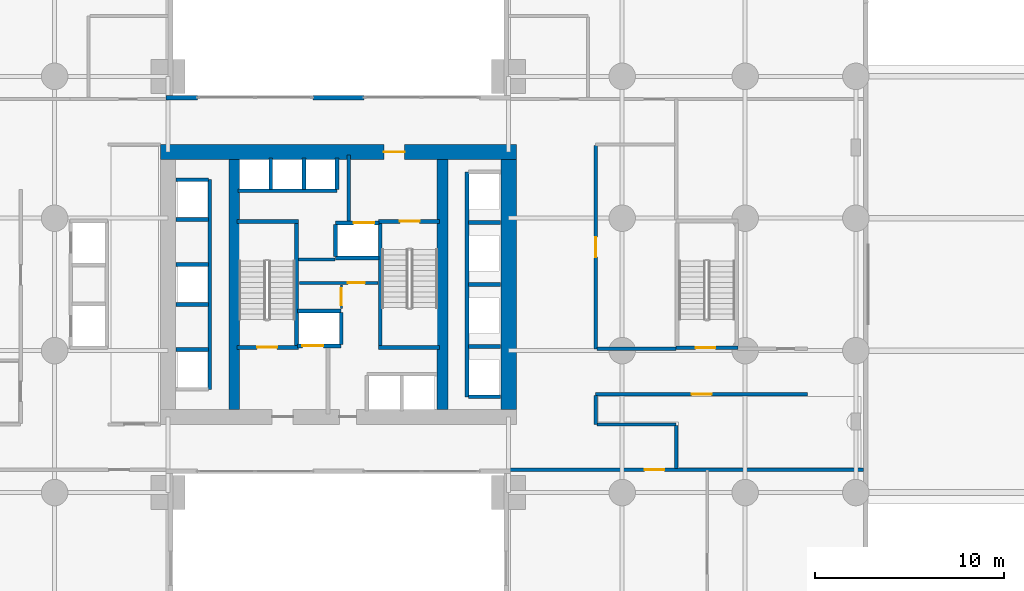
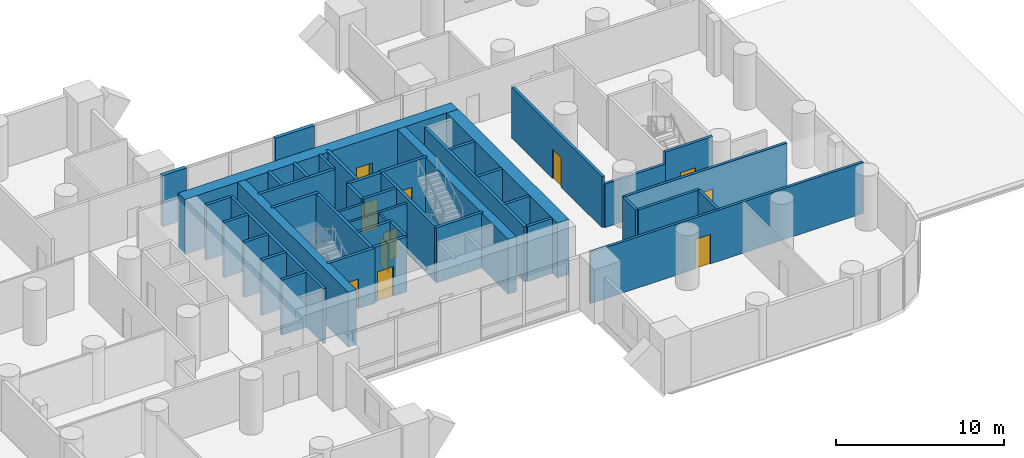
# One storey, part 5 of 8: 45 walls, 11 doors, 11 openings.
"""IFC4 building model written with IfcOpenShell, lengths in metres."""

from ifc_helpers import new_model, si_unit, direction, frame, frame_2d, origin, place, context, subcontext, project, spatial, rectangle, extrude, material, layer, layer_set, type_object, element, fill, save


model = new_model("IFC4")

# Units and contexts
model_context = context("Model", 3, precision=1e-05, world=origin(), true_north=direction((0.0, 1.0)))
body_context = subcontext(model_context, "Body", "Model", "MODEL_VIEW")
ifc_project = project(units=[si_unit("LENGTHUNIT", "METRE"), si_unit("AREAUNIT", "SQUARE_METRE"), si_unit("VOLUMEUNIT", "CUBIC_METRE"), si_unit("PLANEANGLEUNIT", "RADIAN"), si_unit("MASSUNIT", "GRAM", prefix="KILO")], contexts=[model_context])

# Site, building, storey
site_placement = place(None, origin())
site = spatial("IfcSite", under=ifc_project, at=site_placement, CompositionType="ELEMENT")
building_placement = place(site_placement, origin())
building = spatial("IfcBuilding", under=site, at=building_placement, Name="Veldorim Arch Residences", CompositionType="ELEMENT")
storey_placement = place(building_placement, frame((0.0, 0.0, 4.0)))
storey = spatial("IfcBuildingStorey", under=building, at=storey_placement, Name="L01", CompositionType="ELEMENT", Elevation=4.0)

# Wall, opening, door
ifc_material_1 = material(Name="Acoustic Gypsum Board", Category="gypsum")
ifc_layer_1 = layer(ifc_material_1, 0.125, Name="Acoustic Stud Room Partition Wall 125")
ifc_layer_set_1 = layer_set([ifc_layer_1], Name="Acoustic Gypsum Board")
wall_type_1 = type_object("IfcWallType", Name="Acoustic Stud Room Partition Wall 125", PredefinedType="PARTITIONING", material=ifc_layer_set_1)
wall_1_placement = place(storey_placement, frame((32.159912109375, 22.719970703125, 0.0), z_axis=(0.0, 0.0, 1.0), x_axis=(0.0, 1.0, 0.0)))
wall_1 = element("IfcWall", 1, at=wall_1_placement, inside=storey, type_object=wall_type_1, Name="L01 interior wall WL-CA-L01-2", PredefinedType="PARTITIONING", context=body_context, shape_type="SweptSolid", body=[
    extrude(rectangle(XDim=1.25, YDim=0.125, at=frame_2d((0.625, 0.0))), origin(), (0.0, 0.0, 1.0), 3.715087890625),
])
opening_1_placement = place(wall_1_placement, frame((0.169921875, 0.0, 0.0)))
opening_1 = element("IfcOpeningElement", 2, at=opening_1_placement, cuts=wall_1, Name="Opening DR-SVC", PredefinedType="OPENING", context=body_context, shape_type="SweptSolid", body=[
    extrude(rectangle(XDim=0.89990234375, YDim=2.10009765625, at=frame_2d((0.449951171875, 1.050048828125))), frame((0.0, 0.072509765625, 0.0), z_axis=(0.0, -1.0, 0.0), x_axis=(1.0, 0.0, 0.0)), (0.0, 0.0, 1.0), 0.14501953125),
])
ifc_material_2 = material(Name="Fire-Rated Steel", Category="steel")
door_type_1 = type_object("IfcDoorType", Name="Riser, Shelter & Plant Room Rated Steel Door 900x2100", OperationType="SINGLE_SWING_LEFT", PredefinedType="DOOR", material=ifc_material_2)
door_1_placement = place(opening_1_placement, origin())
door_1 = element("IfcDoor", 3, at=door_1_placement, inside=storey, type_object=door_type_1, Name="L01 interior door DR-L01-CA2", OperationType="SINGLE_SWING_RIGHT", OverallHeight=2.10009765625, OverallWidth=0.89990234375, PredefinedType="DOOR", context=body_context, shape_type="SweptSolid", body=[
    extrude(rectangle(XDim=0.89990234375, YDim=2.10009765625, at=frame_2d((0.449951171875, 1.050048828125))), frame((0.0, 0.02490234375, 0.0), z_axis=(0.0, -1.0, 0.0), x_axis=(1.0, 0.0, 0.0)), (0.0, 0.0, 1.0), 0.050048828125),
])
fill(opening_1, door_1)

ifc_material_3 = material(Name="Lightweight Masonry Block & Gypsum", Category="masonry")
ifc_layer_2 = layer(ifc_material_3, 0.179931640625, Name="Compartment & Corridor Fire-Rated Party Wall 180")
ifc_layer_set_2 = layer_set([ifc_layer_2], Name="Lightweight Masonry Block & Gypsum")
wall_type_2 = type_object("IfcWallType", Name="Compartment & Corridor Fire-Rated Party Wall 180", PredefinedType="PARTITIONING", material=ifc_layer_set_2)
wall_2_placement = place(storey_placement, frame((59.75, 14.199951171875, 0.0), z_axis=(0.0, 0.0, 1.0), x_axis=(-1.0, 0.0, 0.0)))
wall_2 = element("IfcWall", 4, at=wall_2_placement, inside=storey, type_object=wall_type_2, Name="L01 interior wall WL-POD-L01-010", PredefinedType="PARTITIONING", context=body_context, shape_type="SweptSolid", body=[
    extrude(rectangle(XDim=18.77001953125, YDim=0.179931640625, at=frame_2d((9.385009765625, 0.0))), origin(), (0.0, 0.0, 1.0), 3.715087890625),
])
opening_2_placement = place(wall_2_placement, frame((10.52001953125, 0.0, 0.0)))
opening_2 = element("IfcOpeningElement", 5, at=opening_2_placement, cuts=wall_2, Name="Opening DR-CLN", PredefinedType="OPENING", context=body_context, shape_type="SweptSolid", body=[
    extrude(rectangle(XDim=1.050048828125, YDim=2.14990234375, at=frame_2d((0.52490234375, 1.074951171875))), frame((0.0, 0.099853515625, 0.0), z_axis=(0.0, -1.0, 0.0), x_axis=(1.0, 0.0, 0.0)), (0.0, 0.0, 1.0), 0.199951171875),
])
ifc_material_4 = material(Name="Timber & Vision Panel", Category="wood")
door_type_2 = type_object("IfcDoorType", Name="Polyclinic Wheelchair-Accessible Consultation Door 1050x2150", OperationType="SINGLE_SWING_LEFT", PredefinedType="DOOR", material=ifc_material_4)
door_2_placement = place(opening_2_placement, origin())
door_2 = element("IfcDoor", 6, at=door_2_placement, inside=storey, type_object=door_type_2, Name="L01 interior door DR-POD-L01-009", OperationType="SINGLE_SWING_LEFT", OverallHeight=2.14990234375, OverallWidth=1.050048828125, PredefinedType="DOOR", context=body_context, shape_type="SweptSolid", body=[
    extrude(rectangle(XDim=1.050048828125, YDim=2.14990234375, at=frame_2d((0.52490234375, 1.074951171875))), frame((0.0, 0.02490234375, 0.0), z_axis=(0.0, -1.0, 0.0), x_axis=(1.0, 0.0, 0.0)), (0.0, 0.0, 1.0), 0.050048828125),
])
fill(opening_2, door_2)

wall_3_placement = place(storey_placement, frame((56.800048828125, 18.199951171875, 0.0), z_axis=(0.0, 0.0, 1.0), x_axis=(-1.0, 0.0, 0.0)))
wall_3 = element("IfcWall", 7, at=wall_3_placement, inside=storey, type_object=wall_type_2, Name="L01 interior wall WL-POD-L01-011", PredefinedType="PARTITIONING", context=body_context, shape_type="SweptSolid", body=[
    extrude(rectangle(XDim=11.199951171875, YDim=0.179931640625, at=frame_2d((5.60009765625, 0.0))), origin(), (0.0, 0.0, 1.0), 3.715087890625),
])
opening_3_placement = place(wall_3_placement, frame((5.074951171875, 0.0, 0.0)))
opening_3 = element("IfcOpeningElement", 8, at=opening_3_placement, cuts=wall_3, Name="Opening DR-CLN", PredefinedType="OPENING", context=body_context, shape_type="SweptSolid", body=[
    extrude(rectangle(XDim=1.050048828125, YDim=2.14990234375, at=frame_2d((0.52490234375, 1.074951171875))), frame((0.0, 0.099853515625, 0.0), z_axis=(0.0, -1.0, 0.0), x_axis=(1.0, 0.0, 0.0)), (0.0, 0.0, 1.0), 0.199951171875),
])
door_3_placement = place(opening_3_placement, origin())
door_3 = element("IfcDoor", 9, at=door_3_placement, inside=storey, type_object=door_type_2, Name="L01 interior door DR-POD-L01-011", OperationType="SINGLE_SWING_LEFT", OverallHeight=2.14990234375, OverallWidth=1.050048828125, PredefinedType="DOOR", context=body_context, shape_type="SweptSolid", body=[
    extrude(rectangle(XDim=1.050048828125, YDim=2.14990234375, at=frame_2d((0.52490234375, 1.074951171875))), frame((0.0, 0.02490234375, 0.0), z_axis=(0.0, -1.0, 0.0), x_axis=(1.0, 0.0, 0.0)), (0.0, 0.0, 1.0), 0.050048828125),
])
fill(opening_3, door_3)

# Walls
wall_4_placement = place(storey_placement, frame((45.60009765625, 18.139892578125, 0.0), z_axis=(0.0, 0.0, 1.0), x_axis=(0.0, -1.0, 0.0)))
element("IfcWall", 10, at=wall_4_placement, inside=storey, type_object=wall_type_2, Name="L01 interior wall WL-POD-L01-012", PredefinedType="PARTITIONING", context=body_context, shape_type="SweptSolid", body=[
    extrude(rectangle(XDim=1.539794921875, YDim=0.179931640625, at=frame_2d((0.77001953125, 0.0))), origin(), (0.0, 0.0, 1.0), 3.715087890625),
])
wall_5_placement = place(storey_placement, frame((45.659912109375, 16.60009765625, 0.0), z_axis=(0.0, 0.0, 1.0), x_axis=(1.0, 0.0, 0.0)))
element("IfcWall", 11, at=wall_5_placement, inside=storey, type_object=wall_type_2, Name="L01 interior wall WL-POD-L01-013", PredefinedType="PARTITIONING", context=body_context, shape_type="SweptSolid", body=[
    extrude(rectangle(XDim=4.190185546875, YDim=0.179931640625, at=frame_2d((2.09521484375, 0.0))), origin(), (0.0, 0.0, 1.0), 3.715087890625),
])
wall_6_placement = place(storey_placement, frame((49.85009765625, 16.5400390625, 0.0), z_axis=(0.0, 0.0, 1.0), x_axis=(0.0, -1.0, 0.0)))
element("IfcWall", 12, at=wall_6_placement, inside=storey, type_object=wall_type_2, Name="L01 interior wall WL-POD-L01-014", PredefinedType="PARTITIONING", context=body_context, shape_type="SweptSolid", body=[
    extrude(rectangle(XDim=2.280029296875, YDim=0.179931640625, at=frame_2d((1.14013671875, 0.0))), origin(), (0.0, 0.0, 1.0), 3.715087890625),
])

# Wall, opening, door
wall_7_placement = place(storey_placement, frame((45.60009765625, 31.340087890625, 0.0), z_axis=(0.0, 0.0, 1.0), x_axis=(0.0, -1.0, 0.0)))
wall_7 = element("IfcWall", 13, at=wall_7_placement, inside=storey, type_object=wall_type_2, Name="L01 interior wall WL-POD-L01-018", PredefinedType="PARTITIONING", context=body_context, shape_type="SweptSolid", body=[
    extrude(rectangle(XDim=10.739990234375, YDim=0.179931640625, at=frame_2d((5.3701171875, 0.0))), origin(), (0.0, 0.0, 1.0), 3.715087890625),
])
opening_4_placement = place(wall_7_placement, frame((4.844970703125, 0.0, 0.0)))
opening_4 = element("IfcOpeningElement", 14, at=opening_4_placement, cuts=wall_7, Name="Opening DR-CLN", PredefinedType="OPENING", context=body_context, shape_type="SweptSolid", body=[
    extrude(rectangle(XDim=1.050048828125, YDim=2.14990234375, at=frame_2d((0.52490234375, 1.074951171875))), frame((0.0, 0.099853515625, 0.0), z_axis=(0.0, -1.0, 0.0), x_axis=(1.0, 0.0, 0.0)), (0.0, 0.0, 1.0), 0.199951171875),
])
door_4_placement = place(opening_4_placement, origin())
door_4 = element("IfcDoor", 15, at=door_4_placement, inside=storey, type_object=door_type_2, Name="L01 interior door DR-POD-L01-013", OperationType="SINGLE_SWING_LEFT", OverallHeight=2.14990234375, OverallWidth=1.050048828125, PredefinedType="DOOR", context=body_context, shape_type="SweptSolid", body=[
    extrude(rectangle(XDim=1.050048828125, YDim=2.14990234375, at=frame_2d((0.52490234375, 1.074951171875))), frame((0.0, 0.02490234375, 0.0), z_axis=(0.0, -1.0, 0.0), x_axis=(1.0, 0.0, 0.0)), (0.0, 0.0, 1.0), 0.050048828125),
])
fill(opening_4, door_4)

# Walls
wall_8_placement = place(storey_placement, frame((45.659912109375, 20.60009765625, 0.0), z_axis=(0.0, 0.0, 1.0), x_axis=(1.0, 0.0, 0.0)))
element("IfcWall", 16, at=wall_8_placement, inside=storey, type_object=wall_type_2, Name="L01 interior wall WL-POD-L01-019", PredefinedType="PARTITIONING", context=body_context, shape_type="SweptSolid", body=[
    extrude(rectangle(XDim=4.190185546875, YDim=0.179931640625, at=frame_2d((2.09521484375, 0.0))), origin(), (0.0, 0.0, 1.0), 3.16357421875),
])
ifc_material_5 = material(Name="Concrete C50/60", Category="concrete")
ifc_layer_3 = layer(ifc_material_5, 0.199951171875, Name="Core Stair & Lift Shaft Enclosure Wall 200")
ifc_layer_set_3 = layer_set([ifc_layer_3], Name="Concrete C50/60")
wall_type_3 = type_object("IfcWallType", Name="Core Stair & Lift Shaft Enclosure Wall 200", PredefinedType="SHEAR", material=ifc_layer_set_3)
wall_9_placement = place(storey_placement, frame((29.7900390625, 20.780029296875, 0.0), z_axis=(0.0, 0.0, 1.0), x_axis=(0.0, 1.0, 0.0)))
element("IfcWall", 17, at=wall_9_placement, inside=storey, type_object=wall_type_3, Name="L01 shaft wall WL-SHF-L01-ST1-E", PredefinedType="SHEAR", context=body_context, shape_type="SweptSolid", body=[
    extrude(rectangle(XDim=6.43994140625, YDim=0.199951171875, at=frame_2d((3.219970703125, 0.0))), origin(), (0.0, 0.0, 1.0), 4.0),
])
wall_10_placement = place(storey_placement, frame((26.64990234375, 27.330078125, 0.0), z_axis=(0.0, 0.0, 1.0), x_axis=(1.0, 0.0, 0.0)))
element("IfcWall", 18, at=wall_10_placement, inside=storey, type_object=wall_type_3, Name="L01 shaft wall WL-SHF-L01-ST1-N", PredefinedType="SHEAR", context=body_context, shape_type="SweptSolid", body=[
    extrude(rectangle(XDim=3.239990234375, YDim=0.199951171875, at=frame_2d((1.6201171875, 0.0))), origin(), (0.0, 0.0, 1.0), 4.0),
])

# Wall, opening, door
wall_11_placement = place(storey_placement, frame((26.64990234375, 20.669921875, 0.0), z_axis=(0.0, 0.0, 1.0), x_axis=(1.0, 0.0, 0.0)))
wall_11 = element("IfcWall", 19, at=wall_11_placement, inside=storey, type_object=wall_type_3, Name="L01 shaft wall WL-SHF-L01-ST1-S", PredefinedType="SHEAR", context=body_context, shape_type="SweptSolid", body=[
    extrude(rectangle(XDim=3.239990234375, YDim=0.199951171875, at=frame_2d((1.6201171875, 0.0))), origin(), (0.0, 0.0, 1.0), 4.0),
])
opening_5_placement = place(wall_11_placement, frame((1.054931640625, 0.0, 0.0)))
opening_5 = element("IfcOpeningElement", 20, at=opening_5_placement, cuts=wall_11, Name="Opening DR-ST", PredefinedType="OPENING", context=body_context, shape_type="SweptSolid", body=[
    extrude(rectangle(XDim=1.050048828125, YDim=2.14990234375, at=frame_2d((0.52490234375, 1.074951171875))), frame((0.0, 0.10986328125, 0.0), z_axis=(0.0, -1.0, 0.0), x_axis=(1.0, 0.0, 0.0)), (0.0, 0.0, 1.0), 0.219970703125),
])
ifc_material_6 = material(Name="Fire-Rated Steel", Category="steel")
door_type_3 = type_object("IfcDoorType", Name="Exit Staircase Self-Closing Fire Door 1050x2150", OperationType="SINGLE_SWING_LEFT", PredefinedType="DOOR", material=ifc_material_6)
door_5_placement = place(opening_5_placement, origin())
door_5 = element("IfcDoor", 21, at=door_5_placement, inside=storey, type_object=door_type_3, Name="L01 interior door DR-L01-ST1", OperationType="SINGLE_SWING_LEFT", OverallHeight=2.14990234375, OverallWidth=1.050048828125, PredefinedType="DOOR", context=body_context, shape_type="SweptSolid", body=[
    extrude(rectangle(XDim=1.050048828125, YDim=2.14990234375, at=frame_2d((0.52490234375, 1.074951171875))), frame((0.0, 0.02490234375, 0.0), z_axis=(0.0, -1.0, 0.0), x_axis=(1.0, 0.0, 0.0)), (0.0, 0.0, 1.0), 0.050048828125),
])
fill(opening_5, door_5)

# Walls
wall_12_placement = place(storey_placement, frame((34.2099609375, 20.780029296875, 0.0), z_axis=(0.0, 0.0, 1.0), x_axis=(0.0, 1.0, 0.0)))
element("IfcWall", 22, at=wall_12_placement, inside=storey, type_object=wall_type_3, Name="L01 shaft wall WL-SHF-L01-ST2-W", PredefinedType="SHEAR", context=body_context, shape_type="SweptSolid", body=[
    extrude(rectangle(XDim=6.43994140625, YDim=0.199951171875, at=frame_2d((3.219970703125, 0.0))), origin(), (0.0, 0.0, 1.0), 4.0),
])
wall_13_placement = place(storey_placement, frame((34.110107421875, 20.669921875, 0.0), z_axis=(0.0, 0.0, 1.0), x_axis=(1.0, 0.0, 0.0)))
element("IfcWall", 23, at=wall_13_placement, inside=storey, type_object=wall_type_3, Name="L01 shaft wall WL-SHF-L01-ST2-S", PredefinedType="SHEAR", context=body_context, shape_type="SweptSolid", body=[
    extrude(rectangle(XDim=3.239990234375, YDim=0.199951171875, at=frame_2d((1.6201171875, 0.0))), origin(), (0.0, 0.0, 1.0), 4.0),
])

# Wall, opening, door
wall_14_placement = place(storey_placement, frame((34.110107421875, 27.330078125, 0.0), z_axis=(0.0, 0.0, 1.0), x_axis=(1.0, 0.0, 0.0)))
wall_14 = element("IfcWall", 24, at=wall_14_placement, inside=storey, type_object=wall_type_3, Name="L01 shaft wall WL-SHF-L01-ST2-N", PredefinedType="SHEAR", context=body_context, shape_type="SweptSolid", body=[
    extrude(rectangle(XDim=3.239990234375, YDim=0.199951171875, at=frame_2d((1.6201171875, 0.0))), origin(), (0.0, 0.0, 1.0), 4.0),
])
opening_6_placement = place(wall_14_placement, frame((1.135009765625, 0.0, 0.0)))
opening_6 = element("IfcOpeningElement", 25, at=opening_6_placement, cuts=wall_14, Name="Opening DR-ST", PredefinedType="OPENING", context=body_context, shape_type="SweptSolid", body=[
    extrude(rectangle(XDim=1.050048828125, YDim=2.14990234375, at=frame_2d((0.52490234375, 1.074951171875))), frame((0.0, 0.10986328125, 0.0), z_axis=(0.0, -1.0, 0.0), x_axis=(1.0, 0.0, 0.0)), (0.0, 0.0, 1.0), 0.219970703125),
])
door_6_placement = place(opening_6_placement, origin())
door_6 = element("IfcDoor", 26, at=door_6_placement, inside=storey, type_object=door_type_3, Name="L01 interior door DR-L01-ST2", OperationType="SINGLE_SWING_RIGHT", OverallHeight=2.14990234375, OverallWidth=1.050048828125, PredefinedType="DOOR", context=body_context, shape_type="SweptSolid", body=[
    extrude(rectangle(XDim=1.050048828125, YDim=2.14990234375, at=frame_2d((0.52490234375, 1.074951171875))), frame((0.0, 0.02490234375, 0.0), z_axis=(0.0, -1.0, 0.0), x_axis=(1.0, 0.0, 0.0)), (0.0, 0.0, 1.0), 0.050048828125),
])
fill(opening_6, door_6)

# Wall
wall_15_placement = place(storey_placement, frame((32.550048828125, 27.35009765625, 0.0), z_axis=(0.0, 0.0, 1.0), x_axis=(0.0, 1.0, 0.0)))
element("IfcWall", 27, at=wall_15_placement, inside=storey, type_object=wall_type_3, Name="L01 shaft wall WL-FFL2-L01-W", PredefinedType="SHEAR", context=body_context, shape_type="SweptSolid", body=[
    extrude(rectangle(XDim=3.5, YDim=0.199951171875, at=frame_2d((1.75, 0.0))), origin(), (0.0, 0.0, 1.0), 4.0),
])

# Wall, opening, door
wall_16_placement = place(storey_placement, frame((29.85009765625, 20.75, 0.0), z_axis=(0.0, 0.0, 1.0), x_axis=(1.0, 0.0, 0.0)))
wall_16 = element("IfcWall", 28, at=wall_16_placement, inside=storey, type_object=wall_type_3, Name="L01 shaft wall WL-FL01-L01-S", PredefinedType="SHEAR", context=body_context, shape_type="SweptSolid", body=[
    extrude(rectangle(XDim=2.2998046875, YDim=0.199951171875, at=frame_2d((1.14990234375, 0.0))), origin(), (0.0, 0.0, 1.0), 4.0),
])
opening_7_placement = place(wall_16_placement, frame((0.25, 0.0, 0.0)))
opening_7 = element("IfcOpeningElement", 29, at=opening_7_placement, cuts=wall_16, Name="Opening LD-FF", PredefinedType="OPENING", context=body_context, shape_type="SweptSolid", body=[
    extrude(rectangle(XDim=1.10009765625, YDim=2.14990234375, at=frame_2d((0.550048828125, 1.074951171875))), frame((0.0, 0.10986328125, 0.0), z_axis=(0.0, -1.0, 0.0), x_axis=(1.0, 0.0, 0.0)), (0.0, 0.0, 1.0), 0.219970703125),
])
ifc_material_7 = material(Name="Stainless Steel", Category="steel")
door_type_4 = type_object("IfcDoorType", Name="Firefighting Lift Bi-Parting Sliding Landing Door 1100x2150", OperationType="DOUBLE_DOOR_SLIDING", PredefinedType="DOOR", material=ifc_material_7)
door_7_placement = place(opening_7_placement, origin())
door_7 = element("IfcDoor", 30, at=door_7_placement, inside=storey, type_object=door_type_4, Name="L01 lift landing door LD-L01-FL01", OperationType="DOUBLE_DOOR_SLIDING", OverallHeight=2.14990234375, OverallWidth=1.10009765625, PredefinedType="DOOR", context=body_context, shape_type="SweptSolid", body=[
    extrude(rectangle(XDim=1.10009765625, YDim=2.14990234375, at=frame_2d((0.550048828125, 1.074951171875))), frame((0.0, 0.02490234375, 0.0), z_axis=(0.0, -1.0, 0.0), x_axis=(1.0, 0.0, 0.0)), (0.0, 0.0, 1.0), 0.050048828125),
])
fill(opening_7, door_7)

# Walls
wall_17_placement = place(storey_placement, frame((29.85009765625, 22.60009765625, 0.0), z_axis=(0.0, 0.0, 1.0), x_axis=(1.0, 0.0, 0.0)))
element("IfcWall", 31, at=wall_17_placement, inside=storey, type_object=wall_type_3, Name="L01 shaft wall WL-FL01-L01-N", PredefinedType="SHEAR", context=body_context, shape_type="SweptSolid", body=[
    extrude(rectangle(XDim=2.2998046875, YDim=0.199951171875, at=frame_2d((1.14990234375, 0.0))), origin(), (0.0, 0.0, 1.0), 4.0),
])
wall_18_placement = place(storey_placement, frame((32.14990234375, 20.820068359375, 0.0), z_axis=(0.0, 0.0, 1.0), x_axis=(0.0, 1.0, 0.0)))
element("IfcWall", 32, at=wall_18_placement, inside=storey, type_object=wall_type_3, Name="L01 shaft wall WL-FL01-L01-E", PredefinedType="SHEAR", context=body_context, shape_type="SweptSolid", body=[
    extrude(rectangle(XDim=1.7099609375, YDim=0.199951171875, at=frame_2d((0.85498046875, 0.0))), origin(), (0.0, 0.0, 1.0), 4.0),
])

# Wall, opening, door
wall_19_placement = place(storey_placement, frame((31.85009765625, 27.25, 0.0), z_axis=(0.0, 0.0, 1.0), x_axis=(1.0, 0.0, 0.0)))
wall_19 = element("IfcWall", 33, at=wall_19_placement, inside=storey, type_object=wall_type_3, Name="L01 shaft wall WL-FL02-L01-N", PredefinedType="SHEAR", context=body_context, shape_type="SweptSolid", body=[
    extrude(rectangle(XDim=2.2998046875, YDim=0.199951171875, at=frame_2d((1.14990234375, 0.0))), origin(), (0.0, 0.0, 1.0), 4.0),
])
opening_8_placement = place(wall_19_placement, frame((0.949951171875, 0.0, 0.0)))
opening_8 = element("IfcOpeningElement", 34, at=opening_8_placement, cuts=wall_19, Name="Opening LD-FF", PredefinedType="OPENING", context=body_context, shape_type="SweptSolid", body=[
    extrude(rectangle(XDim=1.10009765625, YDim=2.14990234375, at=frame_2d((0.550048828125, 1.074951171875))), frame((0.0, 0.10986328125, 0.0), z_axis=(0.0, -1.0, 0.0), x_axis=(1.0, 0.0, 0.0)), (0.0, 0.0, 1.0), 0.219970703125),
])
door_8_placement = place(opening_8_placement, origin())
door_8 = element("IfcDoor", 35, at=door_8_placement, inside=storey, type_object=door_type_4, Name="L01 lift landing door LD-L01-FL02", OperationType="DOUBLE_DOOR_SLIDING", OverallHeight=2.14990234375, OverallWidth=1.10009765625, PredefinedType="DOOR", context=body_context, shape_type="SweptSolid", body=[
    extrude(rectangle(XDim=1.10009765625, YDim=2.14990234375, at=frame_2d((0.550048828125, 1.074951171875))), frame((0.0, 0.02490234375, 0.0), z_axis=(0.0, -1.0, 0.0), x_axis=(1.0, 0.0, 0.0)), (0.0, 0.0, 1.0), 0.050048828125),
])
fill(opening_8, door_8)

# Walls
wall_20_placement = place(storey_placement, frame((31.85009765625, 25.39990234375, 0.0), z_axis=(0.0, 0.0, 1.0), x_axis=(1.0, 0.0, 0.0)))
element("IfcWall", 36, at=wall_20_placement, inside=storey, type_object=wall_type_3, Name="L01 shaft wall WL-FL02-L01-S", PredefinedType="SHEAR", context=body_context, shape_type="SweptSolid", body=[
    extrude(rectangle(XDim=2.2998046875, YDim=0.199951171875, at=frame_2d((1.14990234375, 0.0))), origin(), (0.0, 0.0, 1.0), 4.0),
])
wall_21_placement = place(storey_placement, frame((31.85009765625, 25.469970703125, 0.0), z_axis=(0.0, 0.0, 1.0), x_axis=(0.0, 1.0, 0.0)))
element("IfcWall", 37, at=wall_21_placement, inside=storey, type_object=wall_type_3, Name="L01 shaft wall WL-FL02-L01-W", PredefinedType="SHEAR", context=body_context, shape_type="SweptSolid", body=[
    extrude(rectangle(XDim=1.7099609375, YDim=0.199951171875, at=frame_2d((0.85498046875, 0.0))), origin(), (0.0, 0.0, 1.0), 4.0),
])
wall_22_placement = place(storey_placement, frame((38.800048828125, 18.06005859375, 0.0), z_axis=(0.0, 0.0, 1.0), x_axis=(0.0, 1.0, 0.0)))
element("IfcWall", 38, at=wall_22_placement, inside=storey, type_object=wall_type_3, Name="L01 shaft wall WL-B1-L01-W", PredefinedType="SHEAR", context=body_context, shape_type="SweptSolid", body=[
    extrude(rectangle(XDim=11.8798828125, YDim=0.199951171875, at=frame_2d((5.93994140625, 0.0))), origin(), (0.0, 0.0, 1.0), 4.0),
])
for number, where, z_axis, x_axis, name in (
    (39, (38.8701171875, 18.06005859375, 0.0), (0.0, 0.0, 1.0), (1.0, 0.0, 0.0), "L01 shaft wall WL-B1-L01-S"),
    (40, (38.8701171875, 20.72509765625, 0.0), (0.0, 0.0, 1.0), (1.0, 0.0, 0.0), "L01 shaft wall WL-B1-L01-D1"),
    (41, (38.8701171875, 24.0, 0.0), (0.0, 0.0, 1.0), (1.0, 0.0, 0.0), "L01 shaft wall WL-B1-L01-D2"),
    (42, (38.8701171875, 27.27490234375, 0.0), (0.0, 0.0, 1.0), (1.0, 0.0, 0.0), "L01 shaft wall WL-B1-L01-D3"),
):
    element("IfcWall", number, at=place(storey_placement, frame(where, z_axis=z_axis, x_axis=x_axis)), inside=storey, type_object=wall_type_3, Name=name, PredefinedType="SHEAR", context=body_context, shape_type="SweptSolid", body=[
        extrude(rectangle(XDim=1.7099609375, YDim=0.199951171875, at=frame_2d((0.85498046875, 0.0))), origin(), (0.0, 0.0, 1.0), 4.0),
    ])
wall_23_placement = place(storey_placement, frame((25.199951171875, 18.4599609375, 0.0), z_axis=(0.0, 0.0, 1.0), x_axis=(0.0, 1.0, 0.0)))
element("IfcWall", 43, at=wall_23_placement, inside=storey, type_object=wall_type_3, Name="L01 shaft wall WL-B2-L01-E", PredefinedType="SHEAR", context=body_context, shape_type="SweptSolid", body=[
    extrude(rectangle(XDim=11.080078125, YDim=0.199951171875, at=frame_2d((5.5400390625, 0.0))), origin(), (0.0, 0.0, 1.0), 4.0),
])
for number, where, z_axis, x_axis, name in (
    (44, (23.419921875, 29.5400390625, 0.0), (0.0, 0.0, 1.0), (1.0, 0.0, 0.0), "L01 shaft wall WL-B2-L01-N"),
    (45, (23.419921875, 20.56005859375, 0.0), (0.0, 0.0, 1.0), (1.0, 0.0, 0.0), "L01 shaft wall WL-B2-L01-D1A"),
    (46, (23.419921875, 22.93994140625, 0.0), (0.0, 0.0, 1.0), (1.0, 0.0, 0.0), "L01 shaft wall WL-B2-L01-D1B"),
    (47, (23.419921875, 25.06005859375, 0.0), (0.0, 0.0, 1.0), (1.0, 0.0, 0.0), "L01 shaft wall WL-B2-L01-D2A"),
    (48, (23.419921875, 27.43994140625, 0.0), (0.0, 0.0, 1.0), (1.0, 0.0, 0.0), "L01 shaft wall WL-B2-L01-D2B"),
):
    element("IfcWall", number, at=place(storey_placement, frame(where, z_axis=z_axis, x_axis=x_axis)), inside=storey, type_object=wall_type_3, Name=name, PredefinedType="SHEAR", context=body_context, shape_type="SweptSolid", body=[
        extrude(rectangle(XDim=1.7099609375, YDim=0.199951171875, at=frame_2d((0.85498046875, 0.0))), origin(), (0.0, 0.0, 1.0), 4.0),
    ])
wall_24_placement = place(storey_placement, frame((26.679931640625, 28.949951171875, 0.0), z_axis=(0.0, 0.0, 1.0), x_axis=(1.0, 0.0, 0.0)))
element("IfcWall", 49, at=wall_24_placement, inside=storey, type_object=wall_type_3, Name="L01 shaft wall WL-B3-L01-S", PredefinedType="SHEAR", context=body_context, shape_type="SweptSolid", body=[
    extrude(rectangle(XDim=5.239990234375, YDim=0.199951171875, at=frame_2d((2.6201171875, 0.0))), origin(), (0.0, 0.0, 1.0), 4.0),
])
for number, where, z_axis, x_axis, name in (
    (50, (31.919921875, 29.02001953125, 0.0), (0.0, 0.0, 1.0), (0.0, 1.0, 0.0), "L01 shaft wall WL-B3-L01-E"),
    (51, (28.425048828125, 29.02001953125, 0.0), (0.0, 0.0, 1.0), (0.0, 1.0, 0.0), "L01 shaft wall WL-B3-L01-D1"),
    (52, (30.175048828125, 29.02001953125, 0.0), (0.0, 0.0, 1.0), (0.0, 1.0, 0.0), "L01 shaft wall WL-B3-L01-D2"),
):
    element("IfcWall", number, at=place(storey_placement, frame(where, z_axis=z_axis, x_axis=x_axis)), inside=storey, type_object=wall_type_3, Name=name, PredefinedType="SHEAR", context=body_context, shape_type="SweptSolid", body=[
        extrude(rectangle(XDim=1.659912109375, YDim=0.199951171875, at=frame_2d((0.830078125, 0.0))), origin(), (0.0, 0.0, 1.0), 4.0),
    ])

# Wall, opening, door
wall_25_placement = place(storey_placement, frame((49.85009765625, 20.64990234375, 0.0), z_axis=(0.0, 0.0, 1.0), x_axis=(1.0, 0.0, 0.0)))
wall_25 = element("IfcWall", 53, at=wall_25_placement, inside=storey, type_object=wall_type_3, Name="L01 shaft wall WL-SHF-L01-ST3-S", PredefinedType="SHEAR", context=body_context, shape_type="SweptSolid", body=[
    extrude(rectangle(XDim=3.260009765625, YDim=0.199951171875, at=frame_2d((1.6298828125, 0.0))), origin(), (0.0, 0.0, 1.0), 4.0),
])
opening_9_placement = place(wall_25_placement, frame((1.02490234375, 0.0, 0.0)))
opening_9 = element("IfcOpeningElement", 54, at=opening_9_placement, cuts=wall_25, Name="Opening DR-ST", PredefinedType="OPENING", context=body_context, shape_type="SweptSolid", body=[
    extrude(rectangle(XDim=1.050048828125, YDim=2.14990234375, at=frame_2d((0.52490234375, 1.074951171875))), frame((0.0, 0.10986328125, 0.0), z_axis=(0.0, -1.0, 0.0), x_axis=(1.0, 0.0, 0.0)), (0.0, 0.0, 1.0), 0.219970703125),
])
door_9_placement = place(opening_9_placement, origin())
door_9 = element("IfcDoor", 55, at=door_9_placement, inside=storey, type_object=door_type_3, Name="L01 interior door DR-L01-ST3", OperationType="SINGLE_SWING_LEFT", OverallHeight=2.14990234375, OverallWidth=1.050048828125, PredefinedType="DOOR", context=body_context, shape_type="SweptSolid", body=[
    extrude(rectangle(XDim=1.050048828125, YDim=2.14990234375, at=frame_2d((0.52490234375, 1.074951171875))), frame((0.0, 0.02490234375, 0.0), z_axis=(0.0, -1.0, 0.0), x_axis=(1.0, 0.0, 0.0)), (0.0, 0.0, 1.0), 0.050048828125),
])
fill(opening_9, door_9)

# Walls
ifc_material_8 = material(Name="Concrete C60/75", Category="concrete")
ifc_layer_4 = layer(ifc_material_8, 0.56005859375, Name="Internal Core Shear Web Wall 560")
ifc_layer_set_4 = layer_set([ifc_layer_4], Name="Concrete C60/75")
wall_type_4 = type_object("IfcWallType", Name="Internal Core Shear Web Wall 560", PredefinedType="SHEAR", material=ifc_layer_set_4)
for number, where, z_axis, x_axis, name in (
    (56, (26.5, 17.39990234375, 0.0), (0.0, 0.0, 1.0), (0.0, 1.0, 0.0), "L01 core west internal shear web"),
    (57, (37.5, 17.39990234375, 0.0), (0.0, 0.0, 1.0), (0.0, 1.0, 0.0), "L01 core east internal shear web"),
):
    element("IfcWall", number, at=place(storey_placement, frame(where, z_axis=z_axis, x_axis=x_axis)), inside=storey, type_object=wall_type_4, Name=name, PredefinedType="SHEAR", context=body_context, shape_type="SweptSolid", body=[
        extrude(rectangle(XDim=13.2001953125, YDim=0.56005859375, at=frame_2d((6.60009765625, 0.0))), origin(), (0.0, 0.0, 1.0), 4.0),
    ])

# Wall, opening, door
ifc_material_9 = material(Name="Concrete C60/75", Category="concrete")
ifc_layer_5 = layer(ifc_material_9, 0.800048828125, Name="Lower Central Core Shear Wall 800")
ifc_layer_set_5 = layer_set([ifc_layer_5], Name="Concrete C60/75")
wall_type_5 = type_object("IfcWallType", Name="Lower Central Core Shear Wall 800", PredefinedType="SHEAR", material=ifc_layer_set_5)
wall_26_placement = place(storey_placement, frame((22.60009765625, 31.0, 0.0), z_axis=(0.0, 0.0, 1.0), x_axis=(1.0, 0.0, 0.0)))
wall_26 = element("IfcWall", 58, at=wall_26_placement, inside=storey, type_object=wall_type_5, Name="L01 central core north shear wall", PredefinedType="SHEAR", context=body_context, shape_type="SweptSolid", body=[
    extrude(rectangle(XDim=18.7998046875, YDim=0.800048828125, at=frame_2d((9.39990234375, 0.0))), origin(), (0.0, 0.0, 1.0), 4.0),
])
opening_10_placement = place(wall_26_placement, frame((11.800048828125, 0.0, 0.0)))
opening_10 = element("IfcOpeningElement", 59, at=opening_10_placement, cuts=wall_26, Name="Opening DR-FFL", PredefinedType="OPENING", context=body_context, shape_type="SweptSolid", body=[
    extrude(rectangle(XDim=1.10009765625, YDim=2.14990234375, at=frame_2d((0.550048828125, 1.074951171875))), frame((0.0, 0.409912109375, 0.0), z_axis=(0.0, -1.0, 0.0), x_axis=(1.0, 0.0, 0.0)), (0.0, 0.0, 1.0), 0.820068359375),
])
ifc_material_10 = material(Name="Fire-Rated Steel & Vision Glass", Category="steel")
door_type_5 = type_object("IfcDoorType", Name="Firefighting Lobby Smoke-Stop Fire Door 1100x2150", OperationType="SINGLE_SWING_LEFT", PredefinedType="DOOR", material=ifc_material_10)
door_10_placement = place(opening_10_placement, origin())
door_10 = element("IfcDoor", 60, at=door_10_placement, inside=storey, type_object=door_type_5, Name="L01 interior door DR-L01-FFL2", OperationType="SINGLE_SWING_LEFT", OverallHeight=2.14990234375, OverallWidth=1.10009765625, PredefinedType="DOOR", context=body_context, shape_type="SweptSolid", body=[
    extrude(rectangle(XDim=1.10009765625, YDim=2.14990234375, at=frame_2d((0.550048828125, 1.074951171875))), frame((0.0, 0.02490234375, 0.0), z_axis=(0.0, -1.0, 0.0), x_axis=(1.0, 0.0, 0.0)), (0.0, 0.0, 1.0), 0.050048828125),
])
fill(opening_10, door_10)

# Walls
wall_27_placement = place(storey_placement, frame((41.0, 17.39990234375, 0.0), z_axis=(0.0, 0.0, 1.0), x_axis=(0.0, 1.0, 0.0)))
element("IfcWall", 61, at=wall_27_placement, inside=storey, type_object=wall_type_5, Name="L01 central core east shear wall", PredefinedType="SHEAR", context=body_context, shape_type="SweptSolid", body=[
    extrude(rectangle(XDim=13.2001953125, YDim=0.800048828125, at=frame_2d((6.60009765625, 0.0))), origin(), (0.0, 0.0, 1.0), 4.0),
])
ifc_material_11 = material(Name="Precast concrete C40/50", Category="concrete")
ifc_layer_6 = layer(ifc_material_11, 0.25, Name="Podium Terracotta Insulated Facade Wall 250")
ifc_layer_set_6 = layer_set([ifc_layer_6], Name="Precast concrete C40/50")
wall_type_6 = type_object("IfcWallType", Name="Podium Terracotta Insulated Facade Wall 250", PredefinedType="SOLIDWALL", material=ifc_layer_set_6)
wall_28_placement = place(storey_placement, frame((22.89990234375, 33.875, 0.0), z_axis=(0.0, 0.0, 1.0), x_axis=(1.0, 0.0, 0.0)))
element("IfcWall", 62, at=wall_28_placement, inside=storey, type_object=wall_type_6, Name="L01 podium facade pier wall 25A", PredefinedType="SOLIDWALL", context=body_context, shape_type="SweptSolid", body=[
    extrude(rectangle(XDim=1.650146484375, YDim=0.25, at=frame_2d((0.8251953125, 0.0))), origin(), (0.0, 0.0, 1.0), 3.719970703125),
])
wall_29_placement = place(storey_placement, frame((30.64990234375, 33.875, 0.0), z_axis=(0.0, 0.0, 1.0), x_axis=(1.0, 0.0, 0.0)))
element("IfcWall", 63, at=wall_29_placement, inside=storey, type_object=wall_type_6, Name="L01 podium facade pier wall 25M", PredefinedType="SOLIDWALL", context=body_context, shape_type="SweptSolid", body=[
    extrude(rectangle(XDim=2.7001953125, YDim=0.25, at=frame_2d((1.35009765625, 0.0))), origin(), (0.0, 0.0, 1.0), 3.719970703125),
])

# Wall, opening, door
ifc_material_12 = material(Name="Moisture-Resistant Gypsum & Stud", Category="gypsum")
ifc_layer_7 = layer(ifc_material_12, 0.159912109375, Name="Wet-Area Moisture-Resistant Plumbing Wall 160")
ifc_layer_set_7 = layer_set([ifc_layer_7], Name="Moisture-Resistant Gypsum & Stud")
wall_type_7 = type_object("IfcWallType", Name="Wet-Area Moisture-Resistant Plumbing Wall 160", PredefinedType="PLUMBINGWALL", material=ifc_layer_set_7)
wall_30_placement = place(storey_placement, frame((29.949951171875, 24.080078125, 0.0), z_axis=(0.0, 0.0, 1.0), x_axis=(1.0, 0.0, 0.0)))
wall_30 = element("IfcWall", 64, at=wall_30_placement, inside=storey, type_object=wall_type_7, Name="L01 interior wall WL-CA-L01-1", PredefinedType="PLUMBINGWALL", context=body_context, shape_type="SweptSolid", body=[
    extrude(rectangle(XDim=4.130126953125, YDim=0.159912109375, at=frame_2d((2.06494140625, 0.0))), origin(), (0.0, 0.0, 1.0), 3.715087890625),
])
opening_11_placement = place(wall_30_placement, frame((2.550048828125, 0.0, 0.0)))
opening_11 = element("IfcOpeningElement", 65, at=opening_11_placement, cuts=wall_30, Name="Opening DR-WC", PredefinedType="OPENING", context=body_context, shape_type="SweptSolid", body=[
    extrude(rectangle(XDim=0.89990234375, YDim=2.10009765625, at=frame_2d((0.449951171875, 1.050048828125))), frame((0.0, 0.08984375, 0.0), z_axis=(0.0, -1.0, 0.0), x_axis=(1.0, 0.0, 0.0)), (0.0, 0.0, 1.0), 0.179931640625),
])
ifc_material_13 = material(Name="Laminate Timber", Category="wood")
door_type_6 = type_object("IfcDoorType", Name="Bathroom & Accessible WC Moisture-Sealed Door 900x2100", OperationType="SINGLE_SWING_LEFT", PredefinedType="DOOR", material=ifc_material_13)
door_11_placement = place(opening_11_placement, origin())
door_11 = element("IfcDoor", 66, at=door_11_placement, inside=storey, type_object=door_type_6, Name="L01 interior door DR-L01-CA1", OperationType="SINGLE_SWING_LEFT", OverallHeight=2.10009765625, OverallWidth=0.89990234375, PredefinedType="DOOR", context=body_context, shape_type="SweptSolid", body=[
    extrude(rectangle(XDim=0.89990234375, YDim=2.10009765625, at=frame_2d((0.449951171875, 1.050048828125))), frame((0.0, 0.02490234375, 0.0), z_axis=(0.0, -1.0, 0.0), x_axis=(1.0, 0.0, 0.0)), (0.0, 0.0, 1.0), 0.050048828125),
])
fill(opening_11, door_11)

# Wall
wall_31_placement = place(storey_placement, frame((29.889892578125, 25.330078125, 0.0), z_axis=(0.0, 0.0, 1.0), x_axis=(1.0, 0.0, 0.0)))
element("IfcWall", 67, at=wall_31_placement, inside=storey, type_object=wall_type_7, Name="L01 interior wall WL-CA-L01-N", PredefinedType="PLUMBINGWALL", context=body_context, shape_type="SweptSolid", body=[
    extrude(rectangle(XDim=1.940185546875, YDim=0.159912109375, at=frame_2d((0.97021484375, 0.0))), origin(), (0.0, 0.0, 1.0), 3.715087890625),
])

save(model, "model.ifc")
